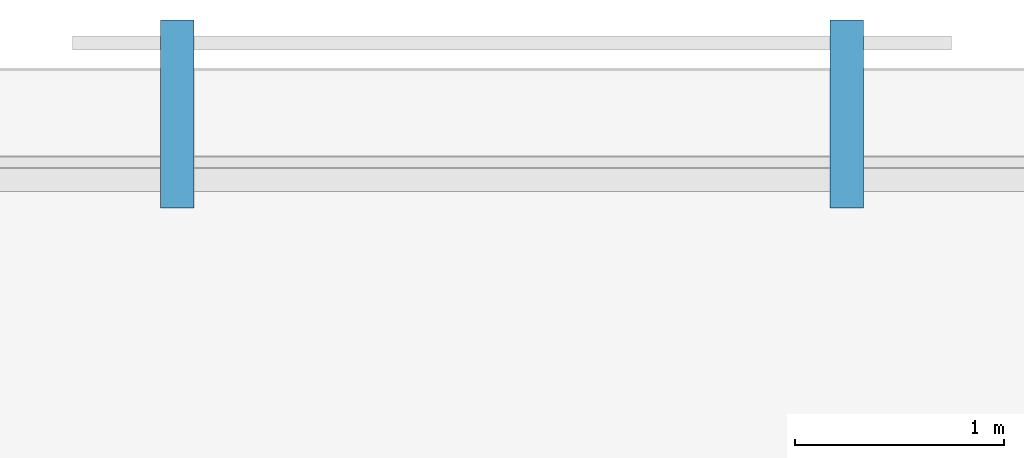
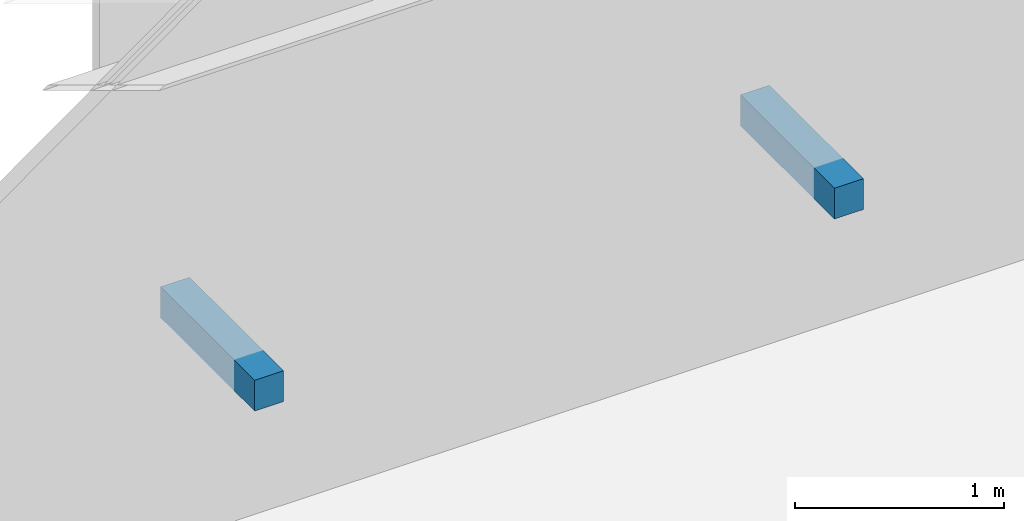
# One storey, part 28 of 30: 2 discrete accessories.
"""IFC4 building model written with IfcOpenShell, lengths in metres."""

from ifc_helpers import new_model, si_unit, direction, frame, origin, origin_2d, place, context, subcontext, project, spatial, rectangle, extrude, material, type_object, element, save


model = new_model("IFC4")

# Units and contexts
model_context = context("Model", 3, precision=1e-05, world=origin(), true_north=direction((0.0, 1.0)))
body_context = subcontext(model_context, "Body", "Model", "MODEL_VIEW")
ifc_project = project(units=[si_unit("LENGTHUNIT", "METRE"), si_unit("AREAUNIT", "SQUARE_METRE"), si_unit("VOLUMEUNIT", "CUBIC_METRE"), si_unit("PLANEANGLEUNIT", "RADIAN"), si_unit("MASSUNIT", "GRAM", prefix="KILO")], contexts=[model_context])

# Site, building, storey
site_placement = place(None, origin())
site = spatial("IfcSite", under=ifc_project, at=site_placement, CompositionType="ELEMENT")
building_placement = place(site_placement, origin())
building = spatial("IfcBuilding", under=site, at=building_placement, Name="Brelmoor Portico Tower", CompositionType="ELEMENT")
storey_placement = place(building_placement, frame((0.0, 0.0, 187.5)))
storey = spatial("IfcBuildingStorey", under=building, at=storey_placement, Name="L49", CompositionType="ELEMENT", Elevation=187.5)

# Discrete accessories
ifc_material = material(Name="Galvanised Steel Q355B", Category="steel")
discrete_accessory_type = type_object("IfcDiscreteAccessoryType", Name="DA-SCREEN-BRACKET", PredefinedType="BRACKET", material=ifc_material)
for number, where, z_axis, x_axis, name in (
    (1, (-1.60009765625, 18.780029296875, 0.76025390625), (0.0, 0.0, 1.0), (1.0, 0.0, 0.0), "L49 Solar Screen Bracket N1A"),
    (2, (1.60009765625, 18.780029296875, 0.76025390625), (0.0, 0.0, 1.0), (1.0, 0.0, 0.0), "L49 Solar Screen Bracket N1B"),
):
    element("IfcDiscreteAccessory", number, at=place(storey_placement, frame(where, z_axis=z_axis, x_axis=x_axis)), inside=storey, type_object=discrete_accessory_type, Name=name, PredefinedType="BRACKET", context=body_context, shape_type="SweptSolid", body=[
        extrude(rectangle(XDim=0.159912109375, YDim=0.89990234375, at=origin_2d()), origin(), (0.0, 0.0, 1.0), 0.179931640625),
    ])

save(model, "model.ifc")
